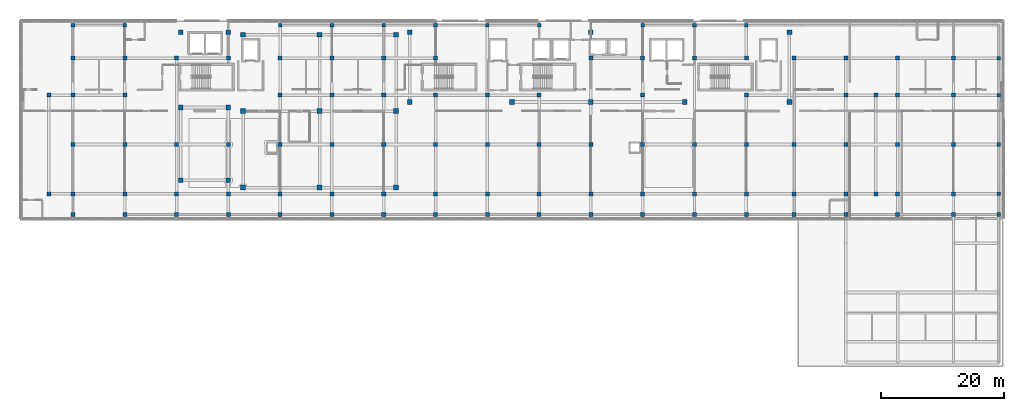
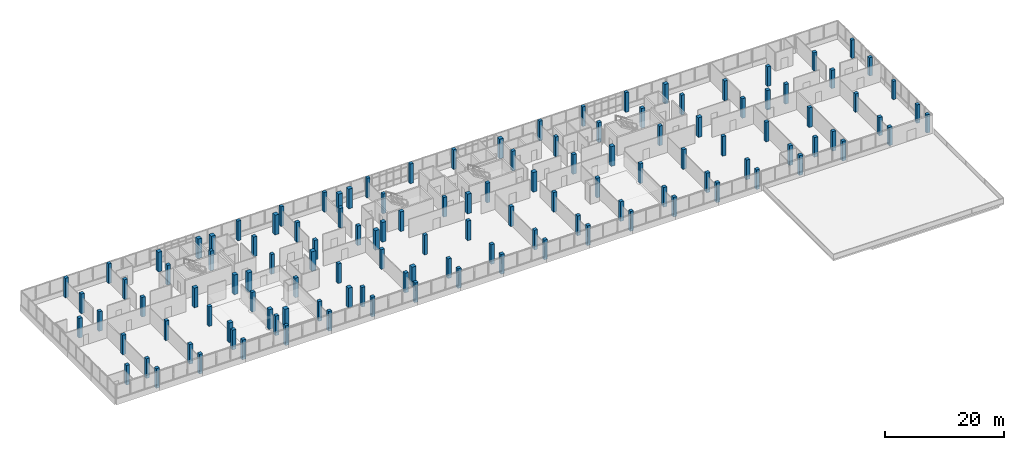
# One storey, part 1 of 76: 126 columns.
"""IFC4 building model written with IfcOpenShell, lengths in metres."""

from ifc_helpers import new_model, si_unit, direction, frame, origin, origin_2d, place, context, subcontext, project, spatial, rectangle, extrude, material, material_profile, profile_set, type_object, element, save


model = new_model("IFC4")

# Units and contexts
model_context = context("Model", 3, precision=1e-05, world=origin(), true_north=direction((0.0, 1.0)))
body_context = subcontext(model_context, "Body", "Model", "MODEL_VIEW")
ifc_project = project(units=[si_unit("LENGTHUNIT", "METRE"), si_unit("AREAUNIT", "SQUARE_METRE"), si_unit("VOLUMEUNIT", "CUBIC_METRE"), si_unit("PLANEANGLEUNIT", "RADIAN"), si_unit("MASSUNIT", "GRAM", prefix="KILO")], contexts=[model_context])

# Site, building, storey
site_placement = place(None, origin())
site = spatial("IfcSite", under=ifc_project, at=site_placement, CompositionType="ELEMENT")
building_placement = place(site_placement, origin())
building = spatial("IfcBuilding", under=site, at=building_placement, Name="Selatvlak General Hospital", CompositionType="ELEMENT")
storey_placement = place(building_placement, frame((0.0, 0.0, 27.300048828125)))
storey = spatial("IfcBuildingStorey", under=building, at=storey_placement, Name="L06", CompositionType="ELEMENT", Elevation=27.300048828125)

# Columns
ifc_material_1 = material(Name="Concrete C40/50", Category="concrete")
ifc_material_profile_1 = material_profile(ifc_material_1, rectangle(XDim=0.60009765625, YDim=0.60009765625, at=origin_2d()), Name="RC-COL 600x600")
ifc_profile_set_1 = profile_set([ifc_material_profile_1], Name="Concrete C40/50")
column_type_1 = type_object("IfcColumnType", Name="COL-RC60", PredefinedType="COLUMN", material=ifc_profile_set_1)
for number, where, z_axis, x_axis, name in (
    (1, (31.199951171875, 119.35009765625, 0.0), (0.0, 0.0, 1.0), (1.0, 0.0, 0.0), "Column 169 on L06"),
    (2, (39.60009765625, 119.35009765625, 0.0), (0.0, 0.0, 1.0), (1.0, 0.0, 0.0), "Column 175 on L06"),
    (3, (64.800048828125, 119.35009765625, 0.0), (0.0, 0.0, 1.0), (1.0, 0.0, 0.0), "Column 191 on L06"),
    (4, (73.199951171875, 119.35009765625, 0.0), (0.0, 0.0, 1.0), (1.0, 0.0, 0.0), "Column 197 on L06"),
    (5, (81.60009765625, 119.35009765625, 0.0), (0.0, 0.0, 1.0), (1.0, 0.0, 0.0), "Column 206 on L06"),
    (6, (90.0, 119.35009765625, 0.0), (0.0, 0.0, 1.0), (1.0, 0.0, 0.0), "Column 215 on L06"),
    (7, (98.39990234375, 119.35009765625, 0.0), (0.0, 0.0, 1.0), (1.0, 0.0, 0.0), "Column 222 on L06"),
    (8, (106.800048828125, 119.35009765625, 0.0), (0.0, 0.0, 1.0), (1.0, 0.0, 0.0), "Column 228 on L06"),
    (9, (123.60009765625, 119.35009765625, 0.0), (0.0, 0.0, 1.0), (1.0, 0.0, 0.0), "Column 245 on L06"),
    (10, (132.0, 119.35009765625, 0.0), (0.0, 0.0, 1.0), (1.0, 0.0, 0.0), "Column 254 on L06"),
    (11, (140.39990234375, 119.35009765625, 0.0), (0.0, 0.0, 1.0), (1.0, 0.0, 0.0), "Column 264 on L06"),
):
    element("IfcColumn", number, at=place(storey_placement, frame(where, z_axis=z_axis, x_axis=x_axis)), inside=storey, type_object=column_type_1, Name=name, PredefinedType="COLUMN", context=body_context, shape_type="SweptSolid", body=[
        extrude(rectangle(XDim=0.60009765625, YDim=0.60009765625, at=origin_2d()), origin(), (0.0, 0.0, 1.0), 4.050048828125),
    ])
for number, where, z_axis, x_axis, name in (
    (12, (181.35009765625, 88.64990234375, 0.0), (0.0, 0.0, 1.0), (1.0, 0.0, 0.0), "Column 309 on L06"),
    (13, (181.35009765625, 92.0, 0.0), (0.0, 0.0, 1.0), (1.0, 0.0, 0.0), "Column 310 on L06"),
    (14, (181.35009765625, 100.0, 0.0), (0.0, 0.0, 1.0), (1.0, 0.0, 0.0), "Column 311 on L06"),
    (15, (181.35009765625, 108.0, 0.0), (0.0, 0.0, 1.0), (1.0, 0.0, 0.0), "Column 312 on L06"),
    (16, (181.35009765625, 114.0, 0.0), (0.0, 0.0, 1.0), (1.0, 0.0, 0.0), "Column 313 on L06"),
):
    element("IfcColumn", number, at=place(storey_placement, frame(where, z_axis=z_axis, x_axis=x_axis)), inside=storey, type_object=column_type_1, Name=name, PredefinedType="COLUMN", context=body_context, shape_type="SweptSolid", body=[
        extrude(rectangle(XDim=0.60009765625, YDim=0.60009765625, at=origin_2d()), origin(), (0.0, 0.0, 1.0), 3.77783203125),
    ])
ifc_material_profile_2 = material_profile(ifc_material_1, rectangle(XDim=0.64990234375, YDim=0.64990234375, at=origin_2d()), Name="RC-COL 650x650")
ifc_profile_set_2 = profile_set([ifc_material_profile_2], Name="Concrete C40/50")
column_type_2 = type_object("IfcColumnType", Name="COL-RC65", PredefinedType="COLUMN", material=ifc_profile_set_2)
for number, where, z_axis, x_axis, name in (
    (17, (27.300048828125, 92.0, 0.0), (0.0, 0.0, 1.0), (1.0, 0.0, 0.0), "Column 111 on L06"),
    (18, (27.300048828125, 108.0, 0.0), (0.0, 0.0, 1.0), (1.0, 0.0, 0.0), "Column 112 on L06"),
    (19, (161.39990234375, 92.0, 0.0), (0.0, 0.0, 1.0), (1.0, 0.0, 0.0), "Column 113 on L06"),
    (20, (161.39990234375, 108.0, 0.0), (0.0, 0.0, 1.0), (1.0, 0.0, 0.0), "Column 114 on L06"),
    (21, (31.199951171875, 88.64990234375, 0.0), (0.0, 0.0, 1.0), (1.0, 0.0, 0.0), "Column 164 on L06"),
    (22, (31.199951171875, 92.0, 0.0), (0.0, 0.0, 1.0), (1.0, 0.0, 0.0), "Column 165 on L06"),
    (23, (31.199951171875, 100.0, 0.0), (0.0, 0.0, 1.0), (1.0, 0.0, 0.0), "Column 166 on L06"),
    (24, (31.199951171875, 108.0, 0.0), (0.0, 0.0, 1.0), (1.0, 0.0, 0.0), "Column 167 on L06"),
    (25, (31.199951171875, 114.0, 0.0), (0.0, 0.0, 1.0), (1.0, 0.0, 0.0), "Column 168 on L06"),
    (26, (39.60009765625, 88.64990234375, 0.0), (0.0, 0.0, 1.0), (1.0, 0.0, 0.0), "Column 170 on L06"),
    (27, (39.60009765625, 92.0, 0.0), (0.0, 0.0, 1.0), (1.0, 0.0, 0.0), "Column 171 on L06"),
    (28, (39.60009765625, 100.0, 0.0), (0.0, 0.0, 1.0), (1.0, 0.0, 0.0), "Column 172 on L06"),
    (29, (39.60009765625, 108.0, 0.0), (0.0, 0.0, 1.0), (1.0, 0.0, 0.0), "Column 173 on L06"),
    (30, (39.60009765625, 114.0, 0.0), (0.0, 0.0, 1.0), (1.0, 0.0, 0.0), "Column 174 on L06"),
    (31, (48.0, 88.64990234375, 0.0), (0.0, 0.0, 1.0), (1.0, 0.0, 0.0), "Column 177 on L06"),
    (32, (48.0, 92.0, 0.0), (0.0, 0.0, 1.0), (1.0, 0.0, 0.0), "Column 178 on L06"),
    (33, (48.0, 100.0, 0.0), (0.0, 0.0, 1.0), (1.0, 0.0, 0.0), "Column 179 on L06"),
    (34, (48.0, 114.0, 0.0), (0.0, 0.0, 1.0), (1.0, 0.0, 0.0), "Column 180 on L06"),
    (35, (56.39990234375, 88.64990234375, 0.0), (0.0, 0.0, 1.0), (1.0, 0.0, 0.0), "Column 181 on L06"),
    (36, (56.39990234375, 92.0, 0.0), (0.0, 0.0, 1.0), (1.0, 0.0, 0.0), "Column 182 on L06"),
    (37, (56.39990234375, 100.0, 0.0), (0.0, 0.0, 1.0), (1.0, 0.0, 0.0), "Column 183 on L06"),
    (38, (56.39990234375, 114.0, 0.0), (0.0, 0.0, 1.0), (1.0, 0.0, 0.0), "Column 184 on L06"),
    (39, (64.800048828125, 88.64990234375, 0.0), (0.0, 0.0, 1.0), (1.0, 0.0, 0.0), "Column 186 on L06"),
    (40, (64.800048828125, 92.0, 0.0), (0.0, 0.0, 1.0), (1.0, 0.0, 0.0), "Column 187 on L06"),
    (41, (64.800048828125, 100.0, 0.0), (0.0, 0.0, 1.0), (1.0, 0.0, 0.0), "Column 188 on L06"),
    (42, (64.800048828125, 108.0, 0.0), (0.0, 0.0, 1.0), (1.0, 0.0, 0.0), "Column 189 on L06"),
    (43, (64.800048828125, 114.0, 0.0), (0.0, 0.0, 1.0), (1.0, 0.0, 0.0), "Column 190 on L06"),
    (44, (73.199951171875, 88.64990234375, 0.0), (0.0, 0.0, 1.0), (1.0, 0.0, 0.0), "Column 192 on L06"),
    (45, (73.199951171875, 92.0, 0.0), (0.0, 0.0, 1.0), (1.0, 0.0, 0.0), "Column 193 on L06"),
    (46, (73.199951171875, 100.0, 0.0), (0.0, 0.0, 1.0), (1.0, 0.0, 0.0), "Column 194 on L06"),
    (47, (73.199951171875, 108.0, 0.0), (0.0, 0.0, 1.0), (1.0, 0.0, 0.0), "Column 195 on L06"),
    (48, (73.199951171875, 114.0, 0.0), (0.0, 0.0, 1.0), (1.0, 0.0, 0.0), "Column 196 on L06"),
    (49, (81.60009765625, 88.64990234375, 0.0), (0.0, 0.0, 1.0), (1.0, 0.0, 0.0), "Column 201 on L06"),
    (50, (81.60009765625, 92.0, 0.0), (0.0, 0.0, 1.0), (1.0, 0.0, 0.0), "Column 202 on L06"),
    (51, (81.60009765625, 100.0, 0.0), (0.0, 0.0, 1.0), (1.0, 0.0, 0.0), "Column 203 on L06"),
    (52, (81.60009765625, 108.0, 0.0), (0.0, 0.0, 1.0), (1.0, 0.0, 0.0), "Column 204 on L06"),
    (53, (81.60009765625, 114.0, 0.0), (0.0, 0.0, 1.0), (1.0, 0.0, 0.0), "Column 205 on L06"),
    (54, (90.0, 88.64990234375, 0.0), (0.0, 0.0, 1.0), (1.0, 0.0, 0.0), "Column 210 on L06"),
    (55, (90.0, 92.0, 0.0), (0.0, 0.0, 1.0), (1.0, 0.0, 0.0), "Column 211 on L06"),
    (56, (90.0, 100.0, 0.0), (0.0, 0.0, 1.0), (1.0, 0.0, 0.0), "Column 212 on L06"),
    (57, (90.0, 108.0, 0.0), (0.0, 0.0, 1.0), (1.0, 0.0, 0.0), "Column 213 on L06"),
    (58, (90.0, 114.0, 0.0), (0.0, 0.0, 1.0), (1.0, 0.0, 0.0), "Column 214 on L06"),
    (59, (98.39990234375, 88.64990234375, 0.0), (0.0, 0.0, 1.0), (1.0, 0.0, 0.0), "Column 218 on L06"),
    (60, (98.39990234375, 92.0, 0.0), (0.0, 0.0, 1.0), (1.0, 0.0, 0.0), "Column 219 on L06"),
    (61, (98.39990234375, 100.0, 0.0), (0.0, 0.0, 1.0), (1.0, 0.0, 0.0), "Column 220 on L06"),
    (62, (98.39990234375, 108.0, 0.0), (0.0, 0.0, 1.0), (1.0, 0.0, 0.0), "Column 221 on L06"),
    (63, (106.800048828125, 88.64990234375, 0.0), (0.0, 0.0, 1.0), (1.0, 0.0, 0.0), "Column 224 on L06"),
    (64, (106.800048828125, 92.0, 0.0), (0.0, 0.0, 1.0), (1.0, 0.0, 0.0), "Column 225 on L06"),
    (65, (106.800048828125, 100.0, 0.0), (0.0, 0.0, 1.0), (1.0, 0.0, 0.0), "Column 226 on L06"),
    (66, (106.800048828125, 108.0, 0.0), (0.0, 0.0, 1.0), (1.0, 0.0, 0.0), "Column 227 on L06"),
    (67, (115.199951171875, 88.64990234375, 0.0), (0.0, 0.0, 1.0), (1.0, 0.0, 0.0), "Column 232 on L06"),
    (68, (115.199951171875, 92.0, 0.0), (0.0, 0.0, 1.0), (1.0, 0.0, 0.0), "Column 233 on L06"),
    (69, (115.199951171875, 100.0, 0.0), (0.0, 0.0, 1.0), (1.0, 0.0, 0.0), "Column 234 on L06"),
    (70, (115.199951171875, 114.0, 0.0), (0.0, 0.0, 1.0), (1.0, 0.0, 0.0), "Column 235 on L06"),
    (71, (123.60009765625, 88.64990234375, 0.0), (0.0, 0.0, 1.0), (1.0, 0.0, 0.0), "Column 240 on L06"),
    (72, (123.60009765625, 92.0, 0.0), (0.0, 0.0, 1.0), (1.0, 0.0, 0.0), "Column 241 on L06"),
    (73, (123.60009765625, 100.0, 0.0), (0.0, 0.0, 1.0), (1.0, 0.0, 0.0), "Column 242 on L06"),
    (74, (123.60009765625, 108.0, 0.0), (0.0, 0.0, 1.0), (1.0, 0.0, 0.0), "Column 243 on L06"),
    (75, (123.60009765625, 114.0, 0.0), (0.0, 0.0, 1.0), (1.0, 0.0, 0.0), "Column 244 on L06"),
    (76, (132.0, 88.64990234375, 0.0), (0.0, 0.0, 1.0), (1.0, 0.0, 0.0), "Column 250 on L06"),
    (77, (132.0, 92.0, 0.0), (0.0, 0.0, 1.0), (1.0, 0.0, 0.0), "Column 251 on L06"),
    (78, (132.0, 100.0, 0.0), (0.0, 0.0, 1.0), (1.0, 0.0, 0.0), "Column 252 on L06"),
    (79, (132.0, 114.0, 0.0), (0.0, 0.0, 1.0), (1.0, 0.0, 0.0), "Column 253 on L06"),
    (80, (140.39990234375, 88.64990234375, 0.0), (0.0, 0.0, 1.0), (1.0, 0.0, 0.0), "Column 259 on L06"),
    (81, (140.39990234375, 92.0, 0.0), (0.0, 0.0, 1.0), (1.0, 0.0, 0.0), "Column 260 on L06"),
    (82, (140.39990234375, 100.0, 0.0), (0.0, 0.0, 1.0), (1.0, 0.0, 0.0), "Column 261 on L06"),
    (83, (140.39990234375, 108.0, 0.0), (0.0, 0.0, 1.0), (1.0, 0.0, 0.0), "Column 262 on L06"),
    (84, (140.39990234375, 114.0, 0.0), (0.0, 0.0, 1.0), (1.0, 0.0, 0.0), "Column 263 on L06"),
    (85, (148.14990234375, 88.64990234375, 0.0), (0.0, 0.0, 1.0), (1.0, 0.0, 0.0), "Column 270 on L06"),
    (86, (148.14990234375, 92.0, 0.0), (0.0, 0.0, 1.0), (1.0, 0.0, 0.0), "Column 271 on L06"),
    (87, (148.14990234375, 100.0, 0.0), (0.0, 0.0, 1.0), (1.0, 0.0, 0.0), "Column 272 on L06"),
    (88, (148.14990234375, 114.0, 0.0), (0.0, 0.0, 1.0), (1.0, 0.0, 0.0), "Column 273 on L06"),
    (89, (156.550048828125, 88.64990234375, 0.0), (0.0, 0.0, 1.0), (1.0, 0.0, 0.0), "Column 279 on L06"),
    (90, (156.550048828125, 92.0, 0.0), (0.0, 0.0, 1.0), (1.0, 0.0, 0.0), "Column 280 on L06"),
    (91, (156.550048828125, 100.0, 0.0), (0.0, 0.0, 1.0), (1.0, 0.0, 0.0), "Column 281 on L06"),
    (92, (156.550048828125, 108.0, 0.0), (0.0, 0.0, 1.0), (1.0, 0.0, 0.0), "Column 282 on L06"),
    (93, (156.550048828125, 114.0, 0.0), (0.0, 0.0, 1.0), (1.0, 0.0, 0.0), "Column 283 on L06"),
    (94, (164.949951171875, 88.64990234375, 0.0), (0.0, 0.0, 1.0), (1.0, 0.0, 0.0), "Column 288 on L06"),
    (95, (164.949951171875, 92.0, 0.0), (0.0, 0.0, 1.0), (1.0, 0.0, 0.0), "Column 289 on L06"),
    (96, (164.949951171875, 100.0, 0.0), (0.0, 0.0, 1.0), (1.0, 0.0, 0.0), "Column 290 on L06"),
    (97, (164.949951171875, 108.0, 0.0), (0.0, 0.0, 1.0), (1.0, 0.0, 0.0), "Column 291 on L06"),
    (98, (164.949951171875, 114.0, 0.0), (0.0, 0.0, 1.0), (1.0, 0.0, 0.0), "Column 292 on L06"),
):
    element("IfcColumn", number, at=place(storey_placement, frame(where, z_axis=z_axis, x_axis=x_axis)), inside=storey, type_object=column_type_2, Name=name, PredefinedType="COLUMN", context=body_context, shape_type="SweptSolid", body=[
        extrude(rectangle(XDim=0.64990234375, YDim=0.64990234375, at=origin_2d()), origin(), (0.0, 0.0, 1.0), 4.050048828125),
    ])
for number, where, z_axis, x_axis, name in (
    (99, (174.0, 88.64990234375, 0.0), (0.0, 0.0, 1.0), (1.0, 0.0, 0.0), "Column 299 on L06"),
    (100, (174.0, 92.0, 0.0), (0.0, 0.0, 1.0), (1.0, 0.0, 0.0), "Column 300 on L06"),
    (101, (174.0, 100.0, 0.0), (0.0, 0.0, 1.0), (1.0, 0.0, 0.0), "Column 301 on L06"),
    (102, (174.0, 108.0, 0.0), (0.0, 0.0, 1.0), (1.0, 0.0, 0.0), "Column 302 on L06"),
    (103, (174.0, 114.0, 0.0), (0.0, 0.0, 1.0), (1.0, 0.0, 0.0), "Column 303 on L06"),
):
    element("IfcColumn", number, at=place(storey_placement, frame(where, z_axis=z_axis, x_axis=x_axis)), inside=storey, type_object=column_type_2, Name=name, PredefinedType="COLUMN", context=body_context, shape_type="SweptSolid", body=[
        extrude(rectangle(XDim=0.64990234375, YDim=0.64990234375, at=origin_2d()), origin(), (0.0, 0.0, 1.0), 3.77783203125),
    ])
ifc_material_2 = material(Name="Concrete C50/60", Category="concrete")
ifc_material_profile_3 = material_profile(ifc_material_2, rectangle(XDim=0.75, YDim=0.75, at=origin_2d()), Name="RC-COL 750x750")
ifc_profile_set_3 = profile_set([ifc_material_profile_3], Name="Concrete C50/60")
column_type_3 = type_object("IfcColumnType", Name="COL-RC75", PredefinedType="COLUMN", material=ifc_profile_set_3)
for number, where, z_axis, x_axis, name in (
    (104, (48.64990234375, 94.199951171875, 0.0), (0.0, 0.0, 1.0), (1.0, 0.0, 0.0), "Column 046 on L06"),
    (105, (56.39990234375, 94.199951171875, 0.0), (0.0, 0.0, 1.0), (1.0, 0.0, 0.0), "Column 047 on L06"),
    (106, (48.64990234375, 106.0, 0.0), (0.0, 0.0, 1.0), (1.0, 0.0, 0.0), "Column 048 on L06"),
    (107, (56.39990234375, 106.0, 0.0), (0.0, 0.0, 1.0), (1.0, 0.0, 0.0), "Column 049 on L06"),
    (108, (48.64990234375, 118.199951171875, 0.0), (0.0, 0.0, 1.0), (1.0, 0.0, 0.0), "Column 050 on L06"),
    (109, (56.39990234375, 118.199951171875, 0.0), (0.0, 0.0, 1.0), (1.0, 0.0, 0.0), "Column 051 on L06"),
    (110, (85.800048828125, 106.89990234375, 0.0), (0.0, 0.0, 1.0), (1.0, 0.0, 0.0), "Column 052 on L06"),
    (111, (102.39990234375, 106.89990234375, 0.0), (0.0, 0.0, 1.0), (1.0, 0.0, 0.0), "Column 053 on L06"),
    (112, (115.199951171875, 106.89990234375, 0.0), (0.0, 0.0, 1.0), (1.0, 0.0, 0.0), "Column 054 on L06"),
    (113, (130.39990234375, 106.89990234375, 0.0), (0.0, 0.0, 1.0), (1.0, 0.0, 0.0), "Column 055 on L06"),
    (114, (147.39990234375, 106.89990234375, 0.0), (0.0, 0.0, 1.0), (1.0, 0.0, 0.0), "Column 056 on L06"),
    (115, (85.800048828125, 118.199951171875, 0.0), (0.0, 0.0, 1.0), (1.0, 0.0, 0.0), "Column 057 on L06"),
    (116, (115.199951171875, 118.199951171875, 0.0), (0.0, 0.0, 1.0), (1.0, 0.0, 0.0), "Column 058 on L06"),
    (117, (147.39990234375, 118.199951171875, 0.0), (0.0, 0.0, 1.0), (1.0, 0.0, 0.0), "Column 059 on L06"),
):
    element("IfcColumn", number, at=place(storey_placement, frame(where, z_axis=z_axis, x_axis=x_axis)), inside=storey, type_object=column_type_3, Name=name, PredefinedType="COLUMN", context=body_context, shape_type="SweptSolid", body=[
        extrude(rectangle(XDim=0.75, YDim=0.75, at=origin_2d()), origin(), (0.0, 0.0, 1.0), 4.050048828125),
    ])
ifc_material_profile_4 = material_profile(ifc_material_2, rectangle(XDim=0.800048828125, YDim=0.800048828125, at=origin_2d()), Name="RC-COL 800x800")
ifc_profile_set_4 = profile_set([ifc_material_profile_4], Name="Concrete C50/60")
column_type_4 = type_object("IfcColumnType", Name="COL-RC80", PredefinedType="COLUMN", material=ifc_profile_set_4)
for number, where, z_axis, x_axis, name in (
    (118, (58.800048828125, 93.0, 0.0), (0.0, 0.0, 1.0), (1.0, 0.0, 0.0), "Column 037 on L06"),
    (119, (58.800048828125, 105.39990234375, 0.0), (0.0, 0.0, 1.0), (1.0, 0.0, 0.0), "Column 038 on L06"),
    (120, (58.800048828125, 117.800048828125, 0.0), (0.0, 0.0, 1.0), (1.0, 0.0, 0.0), "Column 039 on L06"),
    (121, (71.199951171875, 93.0, 0.0), (0.0, 0.0, 1.0), (1.0, 0.0, 0.0), "Column 040 on L06"),
    (122, (71.199951171875, 105.39990234375, 0.0), (0.0, 0.0, 1.0), (1.0, 0.0, 0.0), "Column 041 on L06"),
    (123, (71.199951171875, 117.800048828125, 0.0), (0.0, 0.0, 1.0), (1.0, 0.0, 0.0), "Column 042 on L06"),
    (124, (83.60009765625, 93.0, 0.0), (0.0, 0.0, 1.0), (1.0, 0.0, 0.0), "Column 043 on L06"),
    (125, (83.60009765625, 105.39990234375, 0.0), (0.0, 0.0, 1.0), (1.0, 0.0, 0.0), "Column 044 on L06"),
    (126, (83.60009765625, 117.800048828125, 0.0), (0.0, 0.0, 1.0), (1.0, 0.0, 0.0), "Column 045 on L06"),
):
    element("IfcColumn", number, at=place(storey_placement, frame(where, z_axis=z_axis, x_axis=x_axis)), inside=storey, type_object=column_type_4, Name=name, PredefinedType="COLUMN", context=body_context, shape_type="SweptSolid", body=[
        extrude(rectangle(XDim=0.800048828125, YDim=0.800048828125, at=origin_2d()), origin(), (0.0, 0.0, 1.0), 4.050048828125),
    ])

save(model, "model.ifc")
